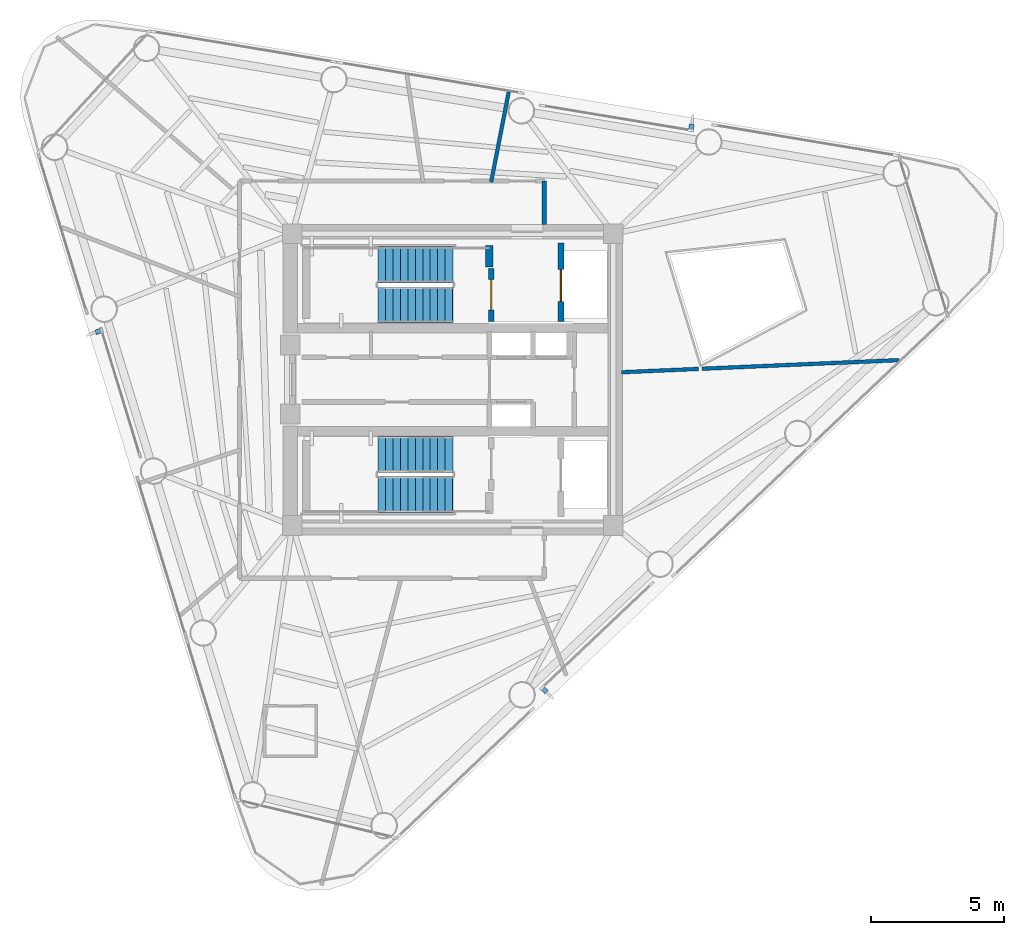
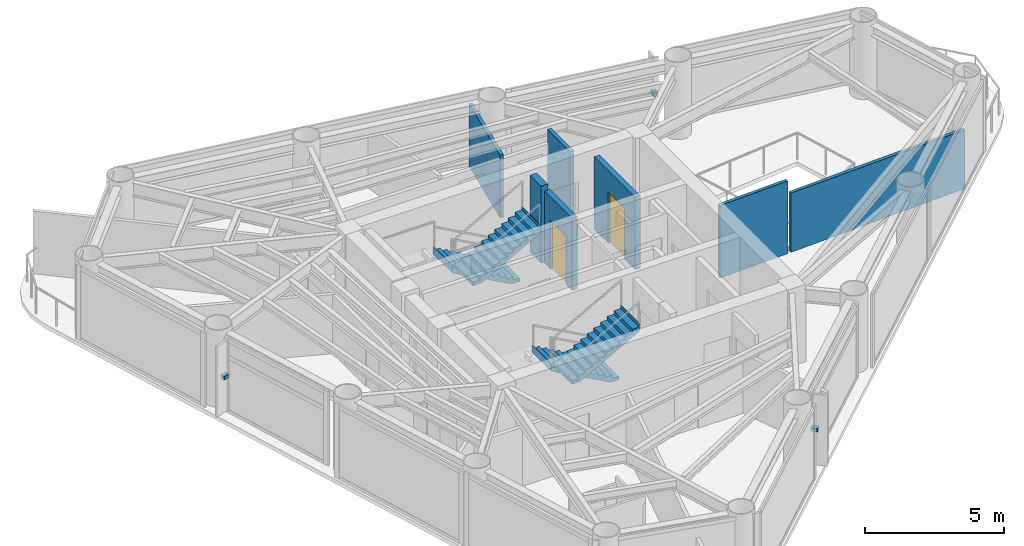
# One storey, part 6 of 8: 7 walls, 4 stair flights, 3 discrete accessories, 2 doors, 2 openings, 2 elements without a shape of their own.
"""IFC4 building model written with IfcOpenShell, lengths in metres."""

from ifc_helpers import new_model, si_unit, direction, frame, frame_2d, origin, origin_2d, place, context, subcontext, project, spatial, polyline, rectangle, outline, extrude, source, transform, mapped, material, layer, layer_set, type_object, element, fill, aggregate, save


model = new_model("IFC4")

# Units and contexts
model_context = context("Model", 3, precision=1e-05, world=origin(), true_north=direction((0.0, 1.0)))
body_context = subcontext(model_context, "Body", "Model", "MODEL_VIEW")
ifc_project = project(units=[si_unit("LENGTHUNIT", "METRE"), si_unit("AREAUNIT", "SQUARE_METRE"), si_unit("VOLUMEUNIT", "CUBIC_METRE"), si_unit("PLANEANGLEUNIT", "RADIAN"), si_unit("MASSUNIT", "GRAM", prefix="KILO")], contexts=[model_context])

# Site, building, storey
site_placement = place(None, origin())
site = spatial("IfcSite", under=ifc_project, at=site_placement, CompositionType="ELEMENT")
building_placement = place(site_placement, origin())
building = spatial("IfcBuilding", under=site, at=building_placement, Name="Yunling Apex Tower", CompositionType="ELEMENT")
storey_placement = place(building_placement, frame((0.0, 0.0, 242.25)))
storey = spatial("IfcBuildingStorey", under=building, at=storey_placement, Name="L59", CompositionType="ELEMENT", Elevation=242.25)

# Walls
ifc_material_1 = material(Name="Concrete C40", Category="concrete")
ifc_layer_1 = layer(ifc_material_1, 0.280029296875)
ifc_layer_set_1 = layer_set([ifc_layer_1], Name="Concrete C40")
wall_type_1 = type_object("IfcWallType", Name="WL-COR-8", PredefinedType="SHEAR", material=ifc_layer_set_1)
wall_1_placement = place(storey_placement, frame((1.3798828125, 4.25, 0.0), z_axis=(0.0, 0.0, 1.0), x_axis=(0.0, 1.0, 0.0)))
element("IfcWall", 1, at=wall_1_placement, inside=storey, type_object=wall_type_1, Name="L59 ST-1 East Landing Bearing Pier", PredefinedType="SHEAR", context=body_context, shape_type="SweptSolid", body=[
    extrude(rectangle(XDim=0.800048828125, YDim=0.280029296875, at=frame_2d((0.39990234375, 0.0))), origin(), (0.0, 0.0, 1.0), 3.39990234375),
])
ifc_material_2 = material(Name="Gypsum board acoustic partition")
ifc_layer_2 = layer(ifc_material_2, 0.159912109375)
ifc_layer_set_2 = layer_set([ifc_layer_2], Name="Gypsum board acoustic partition")
wall_type_2 = type_object("IfcWallType", Name="WL-PRT-1", PredefinedType="PARTITIONING", material=ifc_layer_set_2)
wall_2_placement = place(storey_placement, frame((3.449951171875, 7.489990234375, 0.0), z_axis=(0.0, 0.0, 1.0), x_axis=(0.0, -1.0, 0.0)))
element("IfcWall", 2, at=wall_2_placement, inside=storey, type_object=wall_type_2, Name="WL-CORR-L59-04", PredefinedType="PARTITIONING", context=body_context, shape_type="SweptSolid", body=[
    extrude(rectangle(XDim=1.639892578125, YDim=0.159912109375, at=frame_2d((0.81982421875, 0.0))), origin(), (0.0, 0.0, 1.0), 3.199951171875),
])
ifc_layer_3 = layer(ifc_material_2, 0.139892578125)
ifc_layer_set_3 = layer_set([ifc_layer_3], Name="Gypsum board acoustic partition")
wall_type_3 = type_object("IfcWallType", Name="WL-PRT-2", PredefinedType="PARTITIONING", material=ifc_layer_set_3)
wall_3_placement = place(storey_placement, frame((6.360107421875, 0.277587890625, 0.0), z_axis=(0.0, 0.0, 1.0), x_axis=(0.999048037217, 0.043623609819, 0.0)))
element("IfcWall", 3, at=wall_3_placement, inside=storey, type_object=wall_type_3, Name="WL-RAD-L59-01", PredefinedType="PARTITIONING", context=body_context, shape_type="SweptSolid", body=[
    extrude(rectangle(XDim=2.89892578125, YDim=0.139892578125, at=frame_2d((1.449462890625, 0.0))), origin(), (0.0, 0.0, 1.0), 3.199951171875),
])
wall_4_placement = place(storey_placement, frame((9.389892578125, 0.409912109375, 0.0), z_axis=(0.0, 0.0, 1.0), x_axis=(0.999047971421, 0.043625116619, 0.0)))
element("IfcWall", 4, at=wall_4_placement, inside=storey, type_object=wall_type_3, Name="WL-RAD-L59-02", PredefinedType="PARTITIONING", context=body_context, shape_type="SweptSolid", body=[
    extrude(rectangle(XDim=7.443115234375, YDim=0.139892578125, at=frame_2d((3.7216796875, 0.0))), origin(), (0.0, 0.0, 1.0), 2.60498046875),
])
wall_5_placement = place(storey_placement, frame((1.447998046875, 7.449951171875, 0.0), z_axis=(0.0, 0.0, 1.0), x_axis=(0.19085452876, 0.981618331558, 0.0)))
element("IfcWall", 5, at=wall_5_placement, inside=storey, type_object=wall_type_3, Name="WL-RAD-L59-03", PredefinedType="PARTITIONING", context=body_context, shape_type="SweptSolid", body=[
    extrude(rectangle(XDim=3.455078125, YDim=0.139892578125, at=frame_2d((1.7275390625, 0.0))), origin(), (0.0, 0.0, 1.0), 2.764892578125),
])

# Wall, opening, door
ifc_material_3 = material(Name="Autoclaved aerated concrete masonry", Category="masonry")
ifc_layer_4 = layer(ifc_material_3, 0.219970703125)
ifc_layer_set_4 = layer_set([ifc_layer_4], Name="Autoclaved aerated concrete masonry")
wall_type_4 = type_object("IfcWallType", Name="WL-SHF-1", PredefinedType="PLUMBINGWALL", material=ifc_layer_set_4)
wall_6_placement = place(storey_placement, frame((1.449951171875, 2.199951171875, 0.0), z_axis=(0.0, 0.0, 1.0), x_axis=(0.0, 1.0, 0.0)))
wall_6 = element("IfcWall", 6, at=wall_6_placement, inside=storey, type_object=wall_type_4, Name="WL-ST1-E-L59", PredefinedType="PLUMBINGWALL", context=body_context, shape_type="SweptSolid", body=[
    extrude(rectangle(XDim=1.97998046875, YDim=0.219970703125, at=frame_2d((0.989990234375, 0.0))), origin(), (0.0, 0.0, 1.0), 3.199951171875),
])
opening_1_placement = place(wall_6_placement, frame((0.419921875, 0.0, 0.0)))
opening_1 = element("IfcOpeningElement", 7, at=opening_1_placement, cuts=wall_6, Name="Opening DR-ST-1", PredefinedType="OPENING", context=body_context, shape_type="SweptSolid", body=[
    extrude(rectangle(XDim=1.14990234375, YDim=2.14990234375, at=frame_2d((0.574951171875, 1.074951171875))), frame((0.0, 0.1201171875, 0.0), z_axis=(0.0, -1.0, 0.0), x_axis=(1.0, 0.0, 0.0)), (0.0, 0.0, 1.0), 0.239990234375),
])
ifc_material_4 = material(Name="Steel Q355B", Category="steel")
door_type_1 = type_object("IfcDoorType", Name="DR-ST-1", OperationType="NOTDEFINED", PredefinedType="DOOR", material=ifc_material_4)
door_1_placement = place(opening_1_placement, origin())
door_1 = element("IfcDoor", 8, at=door_1_placement, inside=storey, type_object=door_type_1, Name="L59 Stair ST-1 Fire Door", OperationType="SINGLE_SWING_RIGHT", OverallHeight=2.14990234375, OverallWidth=1.14990234375, PredefinedType="DOOR", context=body_context, shape_type="SweptSolid", body=[
    extrude(rectangle(XDim=1.14990234375, YDim=2.14990234375, at=frame_2d((0.574951171875, 1.074951171875))), frame((0.0, 0.02490234375, 0.0), z_axis=(0.0, -1.0, 0.0), x_axis=(1.0, 0.0, 0.0)), (0.0, 0.0, 1.0), 0.050048828125),
])
fill(opening_1, door_1)

wall_7_placement = place(storey_placement, frame((4.080078125, 2.199951171875, 0.0), z_axis=(0.0, 0.0, 1.0), x_axis=(0.0, 1.0, 0.0)))
wall_7 = element("IfcWall", 9, at=wall_7_placement, inside=storey, type_object=wall_type_4, Name="WL-FFL1-W-L59", PredefinedType="PLUMBINGWALL", context=body_context, shape_type="SweptSolid", body=[
    extrude(rectangle(XDim=2.949951171875, YDim=0.219970703125, at=frame_2d((1.47509765625, 0.0))), origin(), (0.0, 0.0, 1.0), 3.199951171875),
])
opening_2_placement = place(wall_7_placement, frame((0.75, 0.0, 0.0)))
opening_2 = element("IfcOpeningElement", 10, at=opening_2_placement, cuts=wall_7, Name="Opening LD-FFL-1", PredefinedType="OPENING", context=body_context, shape_type="SweptSolid", body=[
    extrude(rectangle(XDim=1.199951171875, YDim=2.25, at=frame_2d((0.60009765625, 1.125))), frame((0.0, 0.1201171875, 0.0), z_axis=(0.0, -1.0, 0.0), x_axis=(1.0, 0.0, 0.0)), (0.0, 0.0, 1.0), 0.239990234375),
])
door_type_2 = type_object("IfcDoorType", Name="LD-FFL-1", OperationType="DOUBLE_DOOR_SLIDING", PredefinedType="DOOR", material=ifc_material_4)
door_2_placement = place(opening_2_placement, origin())
door_2 = element("IfcDoor", 11, at=door_2_placement, inside=storey, type_object=door_type_2, Name="L59 Lift FFL-1 Landing Door", OperationType="DOUBLE_DOOR_SLIDING", OverallHeight=2.25, OverallWidth=1.199951171875, PredefinedType="DOOR", context=body_context, shape_type="SweptSolid", body=[
    extrude(rectangle(XDim=1.199951171875, YDim=2.25, at=frame_2d((0.60009765625, 1.125))), frame((0.0, 0.02490234375, 0.0), z_axis=(0.0, -1.0, 0.0), x_axis=(1.0, 0.0, 0.0)), (0.0, 0.0, 1.0), 0.050048828125),
])
fill(opening_2, door_2)

# Stair, stair flights
stair_type = type_object("IfcStairType", Name="ST-TWR-3", PredefinedType="HALF_TURN_STAIR", material=ifc_material_1)
stair_1_placement = place(storey_placement, origin())
stair_1 = element("IfcStair", 12, at=stair_1_placement, inside=storey, type_object=stair_type, Name="L59 North Core Smokeproof Exit Stair ST-1", PredefinedType="HALF_TURN_STAIR")
stair_flight_type = type_object("IfcStairFlightType", Name="SFL-TWR-3", PredefinedType="STRAIGHT", material=ifc_material_1)
stair_flight_1_placement = place(storey_placement, frame((-0.010009765625, 4.330078125, 0.0), z_axis=(0.0, 0.0, 1.0), x_axis=(-1.0, 0.0, 0.0)))
stair_flight_1 = element("IfcStairFlight", 13, at=stair_flight_1_placement, type_object=stair_flight_type, Name="ST-1 flight 1", NumberOfRisers=11, NumberOfTreads=10, PredefinedType="STRAIGHT", RiserHeight=0.154545455, TreadLength=0.28, context=body_context, shape_type="SweptSolid", body=[
    extrude(outline(polyline([(-0.011962890625, 0.0), (-0.011962890625, 0.154541015625), (0.0, 0.154541015625), (0.280029296875, 0.154541015625), (0.280029296875, 0.30908203125), (0.56005859375, 0.30908203125), (0.56005859375, 0.463623046875), (0.840087890625, 0.463623046875), (0.840087890625, 0.6181640625), (1.1201171875, 0.6181640625), (1.1201171875, 0.772705078125), (1.39990234375, 0.772705078125), (1.39990234375, 0.92724609375), (1.679931640625, 0.92724609375), (1.679931640625, 1.081787109375), (1.9599609375, 1.081787109375), (1.9599609375, 1.236328125), (2.239990234375, 1.236328125), (2.239990234375, 1.390869140625), (2.52001953125, 1.390869140625), (2.52001953125, 1.54541015625), (2.800048828125, 1.54541015625), (2.800048828125, 1.699951171875), (2.81201171875, 1.699951171875), (2.81201171875, 1.36279296875), (0.330810546875, 0.0), (-0.011962890625, 0.0)])), frame((0.0, 0.68017578125, 0.0), z_axis=(0.0, -1.0, 0.0), x_axis=(1.0, 0.0, 0.0)), (0.0, 0.0, 1.0), 1.360107421875),
])
stair_flight_2_placement = place(storey_placement, frame((-2.81005859375, 2.820068359375, 1.699951171875), z_axis=(0.0, 0.0, 1.0), x_axis=(1.0, 0.0, 0.0)))
stair_flight_2 = element("IfcStairFlight", 14, at=stair_flight_2_placement, type_object=stair_flight_type, Name="ST-1 flight 2", NumberOfRisers=11, NumberOfTreads=10, PredefinedType="STRAIGHT", RiserHeight=0.154545455, TreadLength=0.28, context=body_context, shape_type="SweptSolid", body=[
    extrude(outline(polyline([(-0.011962890625, 0.0), (-0.011962890625, 0.154541015625), (0.0, 0.154541015625), (0.280029296875, 0.154541015625), (0.280029296875, 0.30908203125), (0.56005859375, 0.30908203125), (0.56005859375, 0.463623046875), (0.840087890625, 0.463623046875), (0.840087890625, 0.6181640625), (1.1201171875, 0.6181640625), (1.1201171875, 0.772705078125), (1.39990234375, 0.772705078125), (1.39990234375, 0.92724609375), (1.679931640625, 0.92724609375), (1.679931640625, 1.081787109375), (1.9599609375, 1.081787109375), (1.9599609375, 1.236328125), (2.239990234375, 1.236328125), (2.239990234375, 1.390869140625), (2.52001953125, 1.390869140625), (2.52001953125, 1.54541015625), (2.800048828125, 1.54541015625), (2.800048828125, 1.699951171875), (2.81201171875, 1.699951171875), (2.81201171875, 1.36279296875), (0.330810546875, 0.0), (-0.011962890625, 0.0)])), frame((0.0, 0.68017578125, 0.0), z_axis=(0.0, -1.0, 0.0), x_axis=(1.0, 0.0, 0.0)), (0.0, 0.0, 1.0), 1.360107421875),
])
aggregate(stair_1, [stair_flight_1, stair_flight_2])

stair_2_placement = place(storey_placement, origin())
stair_2 = element("IfcStair", 15, at=stair_2_placement, inside=storey, type_object=stair_type, Name="L59 South Core Smokeproof Exit Stair ST-2", PredefinedType="HALF_TURN_STAIR")
stair_flight_3_placement = place(storey_placement, frame((-0.010009765625, -2.820068359375, 0.0), z_axis=(0.0, 0.0, 1.0), x_axis=(-1.0, 0.0, 0.0)))
stair_flight_3 = element("IfcStairFlight", 16, at=stair_flight_3_placement, type_object=stair_flight_type, Name="ST-2 flight 1", NumberOfRisers=11, NumberOfTreads=10, PredefinedType="STRAIGHT", RiserHeight=0.154545455, TreadLength=0.28, context=body_context, shape_type="SweptSolid", body=[
    extrude(outline(polyline([(-0.011962890625, 0.0), (-0.011962890625, 0.154541015625), (0.0, 0.154541015625), (0.280029296875, 0.154541015625), (0.280029296875, 0.30908203125), (0.56005859375, 0.30908203125), (0.56005859375, 0.463623046875), (0.840087890625, 0.463623046875), (0.840087890625, 0.6181640625), (1.1201171875, 0.6181640625), (1.1201171875, 0.772705078125), (1.39990234375, 0.772705078125), (1.39990234375, 0.92724609375), (1.679931640625, 0.92724609375), (1.679931640625, 1.081787109375), (1.9599609375, 1.081787109375), (1.9599609375, 1.236328125), (2.239990234375, 1.236328125), (2.239990234375, 1.390869140625), (2.52001953125, 1.390869140625), (2.52001953125, 1.54541015625), (2.800048828125, 1.54541015625), (2.800048828125, 1.699951171875), (2.81201171875, 1.699951171875), (2.81201171875, 1.36279296875), (0.330810546875, 0.0), (-0.011962890625, 0.0)])), frame((0.0, 0.68017578125, 0.0), z_axis=(0.0, -1.0, 0.0), x_axis=(1.0, 0.0, 0.0)), (0.0, 0.0, 1.0), 1.360107421875),
])
stair_flight_4_placement = place(storey_placement, frame((-2.81005859375, -4.330078125, 1.699951171875), z_axis=(0.0, 0.0, 1.0), x_axis=(1.0, 0.0, 0.0)))
stair_flight_4 = element("IfcStairFlight", 17, at=stair_flight_4_placement, type_object=stair_flight_type, Name="ST-2 flight 2", NumberOfRisers=11, NumberOfTreads=10, PredefinedType="STRAIGHT", RiserHeight=0.154545455, TreadLength=0.28, context=body_context, shape_type="SweptSolid", body=[
    extrude(outline(polyline([(-0.011962890625, 0.0), (-0.011962890625, 0.154541015625), (0.0, 0.154541015625), (0.280029296875, 0.154541015625), (0.280029296875, 0.30908203125), (0.56005859375, 0.30908203125), (0.56005859375, 0.463623046875), (0.840087890625, 0.463623046875), (0.840087890625, 0.6181640625), (1.1201171875, 0.6181640625), (1.1201171875, 0.772705078125), (1.39990234375, 0.772705078125), (1.39990234375, 0.92724609375), (1.679931640625, 0.92724609375), (1.679931640625, 1.081787109375), (1.9599609375, 1.081787109375), (1.9599609375, 1.236328125), (2.239990234375, 1.236328125), (2.239990234375, 1.390869140625), (2.52001953125, 1.390869140625), (2.52001953125, 1.54541015625), (2.800048828125, 1.54541015625), (2.800048828125, 1.699951171875), (2.81201171875, 1.699951171875), (2.81201171875, 1.36279296875), (0.330810546875, 0.0), (-0.011962890625, 0.0)])), frame((0.0, 0.68017578125, 0.0), z_axis=(0.0, -1.0, 0.0), x_axis=(1.0, 0.0, 0.0)), (0.0, 0.0, 1.0), 1.360107421875),
])
aggregate(stair_2, [stair_flight_3, stair_flight_4])

# Discrete accessories
discrete_accessory_type = type_object("IfcDiscreteAccessoryType", Name="BK-FIN-1", PredefinedType="BRACKET", material=ifc_material_4)
shared_shape = source(origin(), body_context, "Body", "SweptSolid", [
    extrude(rectangle(XDim=0.179931640625, YDim=0.260009765625, at=origin_2d()), origin(), (0.0, 0.0, 1.0), 0.159912109375),
])
for number, where, z_axis, x_axis, name in (
    (18, (3.443603515625, -11.68505859375, 1.5302734375), (0.0, 0.0, 1.0), (0.725854756355, 0.687848001144, 0.0), "CW-L59-F1-B2-BRK-01-1"),
    (19, (8.989013671875, 9.502197265625, 1.5302734375), (0.0, 0.0, 1.0), (-0.986400586142, 0.164359008451, 0.0), "CW-L59-F2-B2-BRK-01-1"),
    (20, (-13.33642578125, 1.822265625, 1.5302734375), (0.0, 0.0, 1.0), (0.292371704723, -0.956304755963, 0.0), "CW-L59-F3-B2-BRK-01-1"),
):
    element("IfcDiscreteAccessory", number, at=place(storey_placement, frame(where, z_axis=z_axis, x_axis=x_axis)), inside=storey, type_object=discrete_accessory_type, Name=name, PredefinedType="BRACKET", context=body_context, shape_type="MappedRepresentation", body=[
        mapped(shared_shape, transform((0.0, 0.0, 0.0), scale=1.0)),
    ])

save(model, "model.ifc")
